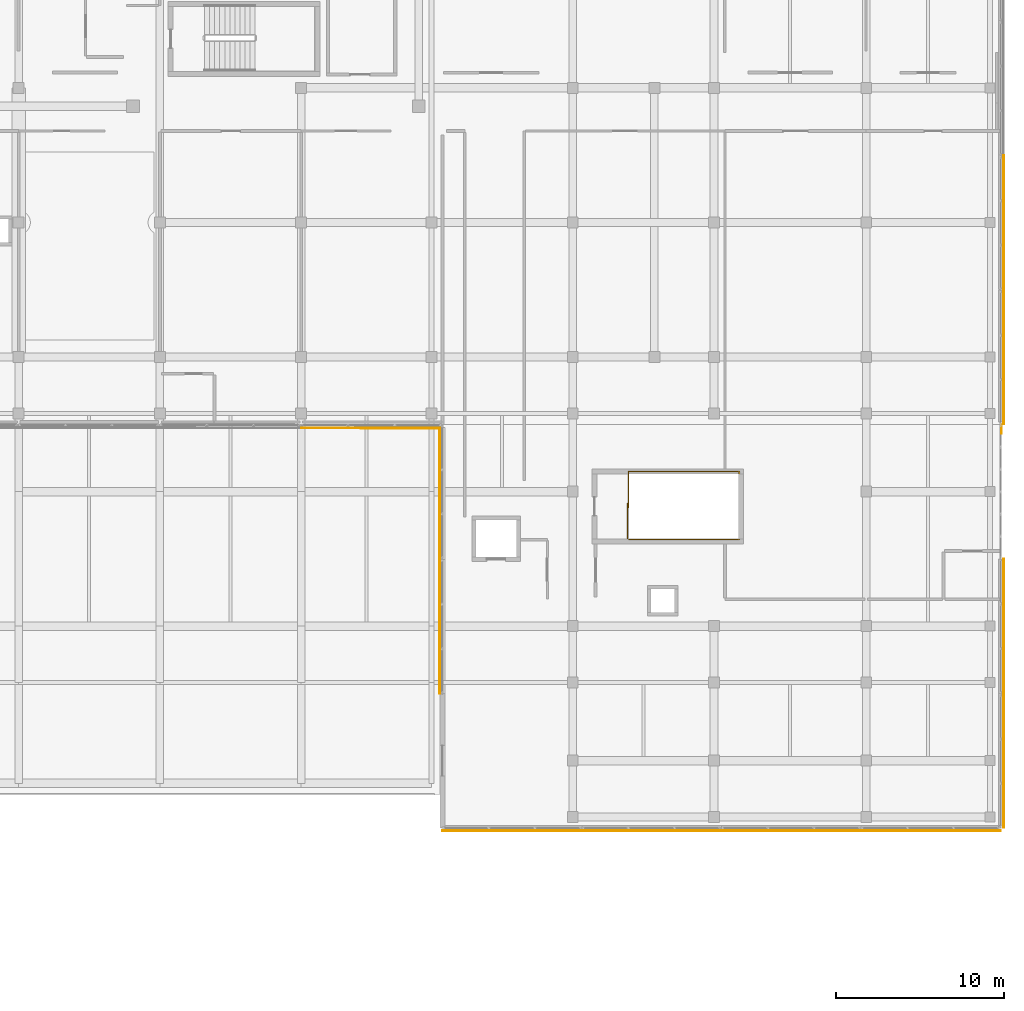
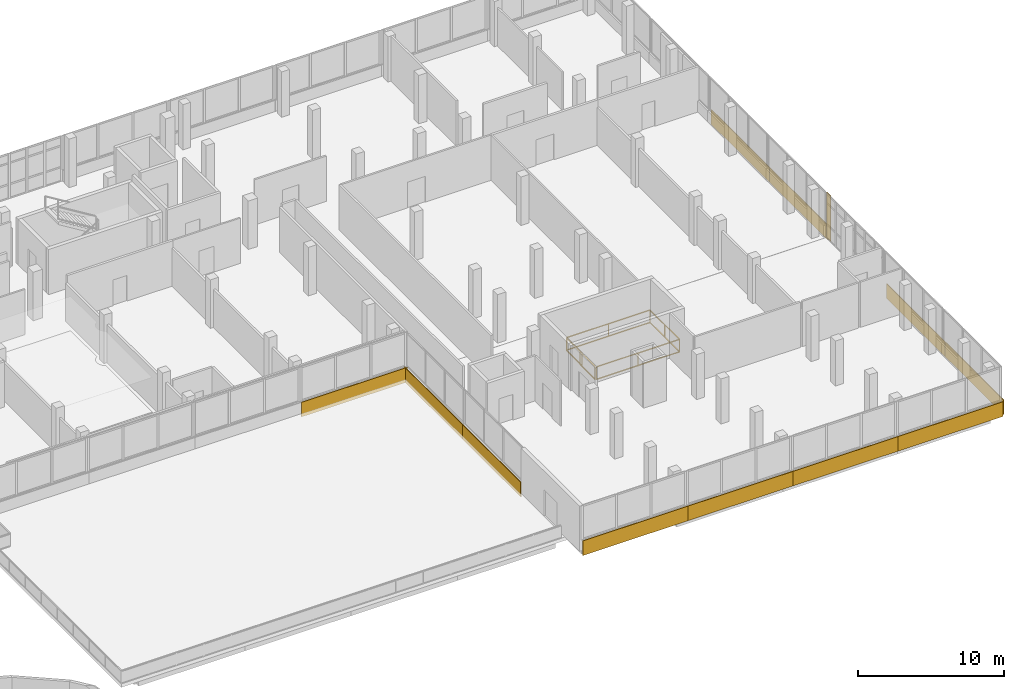
# One storey, part 77 of 78: 12 coverings, 3 railings.
"""IFC4 building model written with IfcOpenShell, lengths in metres."""

from ifc_helpers import new_model, si_unit, direction, frame, origin, origin_2d, place, context, subcontext, project, spatial, rectangle, extrude, material, layer, layer_set, type_object, element, save


model = new_model("IFC4")

# Units and contexts
model_context = context("Model", 3, precision=1e-05, world=origin(), true_north=direction((0.0, 1.0)))
body_context = subcontext(model_context, "Body", "Model", "MODEL_VIEW")
ifc_project = project(units=[si_unit("LENGTHUNIT", "METRE"), si_unit("AREAUNIT", "SQUARE_METRE"), si_unit("VOLUMEUNIT", "CUBIC_METRE"), si_unit("PLANEANGLEUNIT", "RADIAN"), si_unit("MASSUNIT", "GRAM", prefix="KILO")], contexts=[model_context])

# Site, building, storey
site_placement = place(None, origin())
site = spatial("IfcSite", under=ifc_project, at=site_placement, CompositionType="ELEMENT")
building_placement = place(site_placement, origin())
building = spatial("IfcBuilding", under=site, at=building_placement, Name="Selatvlak General Hospital", CompositionType="ELEMENT")
storey_placement = place(building_placement, frame((0.0, 0.0, 23.25)))
storey = spatial("IfcBuildingStorey", under=building, at=storey_placement, Name="L05", CompositionType="ELEMENT", Elevation=23.25)

# Coverings
ifc_material_1 = material(Name="White Bauhaus fair-faced cladding panel")
ifc_layer = layer(ifc_material_1, 0.054931640625, Name="White Bauhaus fair-faced cladding panel")
ifc_layer_set = layer_set([ifc_layer], Name="White Bauhaus fair-faced cladding panel")
covering_type = type_object("IfcCoveringType", Name="COV-WHT1", PredefinedType="CLADDING", material=ifc_layer_set)
for number, where, z_axis, x_axis, name in (
    (1, (182.1650390625, 100.0009765625, -0.27978515625), (0.0, 0.0, 1.0), (0.0, -1.0, 0.0), "L05 Bauhaus horizontal white spandrel band 0422"),
    (2, (182.1650390625, 92.0009765625, -0.27978515625), (0.0, 0.0, 1.0), (0.0, -1.0, 0.0), "L05 Bauhaus horizontal white spandrel band 0423"),
):
    element("IfcCovering", number, at=place(storey_placement, frame(where, z_axis=z_axis, x_axis=x_axis)), inside=storey, type_object=covering_type, Name=name, PredefinedType="CLADDING", context=body_context, shape_type="SweptSolid", body=[
        extrude(rectangle(XDim=8.0, YDim=0.054931640625, at=origin_2d()), origin(), (0.0, 0.0, 1.0), 1.219970703125),
    ])
covering_1_placement = place(storey_placement, frame((182.044921875, 87.72607421875, -0.00048828125), z_axis=(0.0, 0.0, 1.0), x_axis=(0.0, -1.0, 0.0)))
element("IfcCovering", 3, at=covering_1_placement, inside=storey, type_object=covering_type, Name="L05 Bauhaus vertical core pilaster 0424", PredefinedType="CLADDING", context=body_context, shape_type="SweptSolid", body=[
    extrude(rectangle(XDim=0.550048828125, YDim=0.054931640625, at=origin_2d()), origin(), (0.0, 0.0, 1.0), 3.77490234375),
])
for number, where, z_axis, x_axis, name in (
    (4, (182.1650390625, 76.0009765625, -0.27978515625), (0.0, 0.0, 1.0), (0.0, -1.0, 0.0), "L05 Bauhaus horizontal white spandrel band 0425"),
    (5, (182.1650390625, 68.0009765625, -0.27978515625), (0.0, 0.0, 1.0), (0.0, -1.0, 0.0), "L05 Bauhaus horizontal white spandrel band 0426"),
):
    element("IfcCovering", number, at=place(storey_placement, frame(where, z_axis=z_axis, x_axis=x_axis)), inside=storey, type_object=covering_type, Name=name, PredefinedType="CLADDING", context=body_context, shape_type="SweptSolid", body=[
        extrude(rectangle(XDim=8.0, YDim=0.054931640625, at=origin_2d()), origin(), (0.0, 0.0, 1.0), 1.219970703125),
    ])
for number, where, z_axis, x_axis, name in (
    (6, (177.85009765625, 63.8359375, -0.27978515625), (0.0, 0.0, 1.0), (-1.0, 0.0, 0.0), "L05 Bauhaus horizontal white spandrel band 0427"),
    (7, (169.550048828125, 63.8359375, -0.27978515625), (0.0, 0.0, 1.0), (-1.0, 0.0, 0.0), "L05 Bauhaus horizontal white spandrel band 0428"),
):
    element("IfcCovering", number, at=place(storey_placement, frame(where, z_axis=z_axis, x_axis=x_axis)), inside=storey, type_object=covering_type, Name=name, PredefinedType="CLADDING", context=body_context, shape_type="SweptSolid", body=[
        extrude(rectangle(XDim=8.300048828125, YDim=0.054931640625, at=origin_2d()), origin(), (0.0, 0.0, 1.0), 1.219970703125),
    ])
covering_2_placement = place(storey_placement, frame((161.2509765625, 63.8359375, -0.27978515625), z_axis=(0.0, 0.0, 1.0), x_axis=(-0.999999992537, -0.000122173047, 0.0)))
element("IfcCovering", 8, at=covering_2_placement, inside=storey, type_object=covering_type, Name="L05 Bauhaus horizontal white spandrel band 0429", PredefinedType="CLADDING", context=body_context, shape_type="SweptSolid", body=[
    extrude(rectangle(XDim=8.299072265625, YDim=0.054931640625, at=origin_2d()), origin(), (0.0, 0.0, 1.0), 1.219970703125),
])
covering_3_placement = place(storey_placement, frame((152.950927734375, 63.8349609375, -0.27978515625), z_axis=(0.0, 0.0, 1.0), x_axis=(-1.0, 0.0, 0.0)))
element("IfcCovering", 9, at=covering_3_placement, inside=storey, type_object=covering_type, Name="L05 Bauhaus horizontal white spandrel band 0430", PredefinedType="CLADDING", context=body_context, shape_type="SweptSolid", body=[
    extrude(rectangle(XDim=8.300048828125, YDim=0.054931640625, at=origin_2d()), origin(), (0.0, 0.0, 1.0), 1.219970703125),
])
for number, where, z_axis, x_axis, name in (
    (10, (148.635986328125, 75.969970703125, -0.27978515625), (0.0, 0.0, 1.0), (-0.000122173047, 0.999999992537, 0.0), "L05 Bauhaus horizontal white spandrel band 0431"),
    (11, (148.635009765625, 83.949951171875, -0.27978515625), (0.0, 0.0, 1.0), (0.0, 1.0, 0.0), "L05 Bauhaus horizontal white spandrel band 0432"),
):
    element("IfcCovering", number, at=place(storey_placement, frame(where, z_axis=z_axis, x_axis=x_axis)), inside=storey, type_object=covering_type, Name=name, PredefinedType="CLADDING", context=body_context, shape_type="SweptSolid", body=[
        extrude(rectangle(XDim=7.97998046875, YDim=0.054931640625, at=origin_2d()), origin(), (0.0, 0.0, 1.0), 1.219970703125),
    ])
covering_4_placement = place(storey_placement, frame((144.60009765625, 87.777099609375, -0.27978515625), z_axis=(0.0, 0.0, 1.0), x_axis=(-0.999999888967, 0.000471238881, 0.0)))
element("IfcCovering", 12, at=covering_4_placement, inside=storey, type_object=covering_type, Name="L05 Bauhaus horizontal white spandrel band 0433", PredefinedType="CLADDING", context=body_context, shape_type="SweptSolid", body=[
    extrude(rectangle(XDim=8.39990234375, YDim=0.054931640625, at=origin_2d()), origin(), (0.0, 0.0, 1.0), 1.219970703125),
])

# Railings
ifc_material_2 = material(Name="Stainless steel 316 stair guard", Category="steel")
railing_type = type_object("IfcRailingType", Name="RAIL-STG", PredefinedType="GUARDRAIL", material=ifc_material_2)
railing_1_placement = place(storey_placement, frame((159.81005859375, 81.199951171875, 0.0)))
element("IfcRailing", 13, at=railing_1_placement, inside=storey, type_object=railing_type, Name="L05 ST-06 top well guard 1", PredefinedType="GUARDRAIL", context=body_context, shape_type="SweptSolid", body=[
    extrude(rectangle(XDim=0.068115234375, YDim=0.068115234375, at=origin_2d()), frame((0.0, 0.0029296875, 1.11572265625), z_axis=(0.0, 1.0, 0.0), x_axis=(-1.0, 0.0, 0.0)), (0.0, 0.0, 1.0), 2.07421875),
    extrude(rectangle(XDim=0.068115234375, YDim=0.068115234375, at=origin_2d()), frame((0.0, 0.0029296875, 0.049072265625), z_axis=(0.0, 1.0, 0.0), x_axis=(-1.0, 0.0, 0.0)), (0.0, 0.0, 1.0), 2.07421875),
    extrude(rectangle(XDim=0.055908203125, YDim=0.055908203125, at=origin_2d()), origin(), (0.0, 0.0, 1.0), 1.078857421875),
    extrude(rectangle(XDim=0.055908203125, YDim=0.055908203125, at=origin_2d()), frame((0.0, 2.080078125, 0.0)), (0.0, 0.0, 1.0), 1.078857421875),
])
railing_2_placement = place(storey_placement, frame((159.905029296875, 85.18994140625, 0.0)))
element("IfcRailing", 14, at=railing_2_placement, inside=storey, type_object=railing_type, Name="ST-06 top landing well guard on L05", PredefinedType="GUARDRAIL", context=body_context, shape_type="SweptSolid", body=[
    extrude(rectangle(XDim=0.068115234375, YDim=0.068115234375, at=origin_2d()), frame((0.0029296875, 0.0, 1.0859375), z_axis=(1.0, 0.0, 0.0), x_axis=(0.0, 1.0, 0.0)), (0.0, 0.0, 1.0), 6.5390625),
    extrude(rectangle(XDim=0.068115234375, YDim=0.068115234375, at=origin_2d()), frame((0.0029296875, 0.0, 0.049072265625), z_axis=(1.0, 0.0, 0.0), x_axis=(0.0, 1.0, 0.0)), (0.0, 0.0, 1.0), 6.5390625),
    extrude(rectangle(XDim=0.068115234375, YDim=0.068115234375, at=origin_2d()), frame((6.544921875, -0.0029296875, 1.0859375), z_axis=(0.0, -1.0, 0.0), x_axis=(1.0, 0.0, 0.0)), (0.0, 0.0, 1.0), 4.0341796875),
    extrude(rectangle(XDim=0.068115234375, YDim=0.068115234375, at=origin_2d()), frame((6.544921875, -0.0029296875, 0.049072265625), z_axis=(0.0, -1.0, 0.0), x_axis=(1.0, 0.0, 0.0)), (0.0, 0.0, 1.0), 4.0341796875),
    extrude(rectangle(XDim=0.068115234375, YDim=0.068115234375, at=origin_2d()), frame((6.5419921875, -4.0400390625, 1.0859375), z_axis=(-1.0, 0.0, 0.0), x_axis=(0.0, -1.0, 0.0)), (0.0, 0.0, 1.0), 6.5390625),
    extrude(rectangle(XDim=0.068115234375, YDim=0.068115234375, at=origin_2d()), frame((6.5419921875, -4.0400390625, 0.049072265625), z_axis=(-1.0, 0.0, 0.0), x_axis=(0.0, -1.0, 0.0)), (0.0, 0.0, 1.0), 6.5390625),
    extrude(rectangle(XDim=0.055908203125, YDim=0.055908203125, at=origin_2d()), origin(), (0.0, 0.0, 1.0), 1.049072265625),
    extrude(rectangle(XDim=0.055908203125, YDim=0.055908203125, at=origin_2d()), frame((3.2724609375, 0.0, 0.0)), (0.0, 0.0, 1.0), 1.049072265625),
    extrude(rectangle(XDim=0.055908203125, YDim=0.055908203125, at=origin_2d()), frame((6.544921875, 0.0, 0.0)), (0.0, 0.0, 1.0), 1.049072265625),
    extrude(rectangle(XDim=0.055908203125, YDim=0.055908203125, at=origin_2d()), frame((6.544921875, -2.02001953125, 0.0)), (0.0, 0.0, 1.0), 1.049072265625),
    extrude(rectangle(XDim=0.055908203125, YDim=0.055908203125, at=origin_2d()), frame((6.544921875, -4.0400390625, 0.0)), (0.0, 0.0, 1.0), 1.049072265625),
    extrude(rectangle(XDim=0.055908203125, YDim=0.055908203125, at=origin_2d()), frame((3.2724609375, -4.0400390625, 0.0)), (0.0, 0.0, 1.0), 1.049072265625),
    extrude(rectangle(XDim=0.055908203125, YDim=0.055908203125, at=origin_2d()), frame((0.0, -4.0400390625, 0.0)), (0.0, 0.0, 1.0), 1.049072265625),
])
railing_3_placement = place(storey_placement, frame((159.85498046875, 83.06005859375, 0.0)))
element("IfcRailing", 15, at=railing_3_placement, inside=storey, type_object=railing_type, Name="ST-06 top landing west slot guard on L05", PredefinedType="GUARDRAIL", context=body_context, shape_type="SweptSolid", body=[
    extrude(rectangle(XDim=0.068115234375, YDim=0.068115234375, at=origin_2d()), frame((0.0, 0.0029296875, 1.0859375), z_axis=(0.0, 1.0, 0.0), x_axis=(-1.0, 0.0, 0.0)), (0.0, 0.0, 1.0), 2.1240234375),
    extrude(rectangle(XDim=0.068115234375, YDim=0.068115234375, at=origin_2d()), frame((0.0, 0.0029296875, 0.049072265625), z_axis=(0.0, 1.0, 0.0), x_axis=(-1.0, 0.0, 0.0)), (0.0, 0.0, 1.0), 2.1240234375),
    extrude(rectangle(XDim=0.055908203125, YDim=0.055908203125, at=origin_2d()), origin(), (0.0, 0.0, 1.0), 1.049072265625),
    extrude(rectangle(XDim=0.055908203125, YDim=0.055908203125, at=origin_2d()), frame((0.0, 2.1298828125, 0.0)), (0.0, 0.0, 1.0), 1.049072265625),
])

save(model, "model.ifc")
